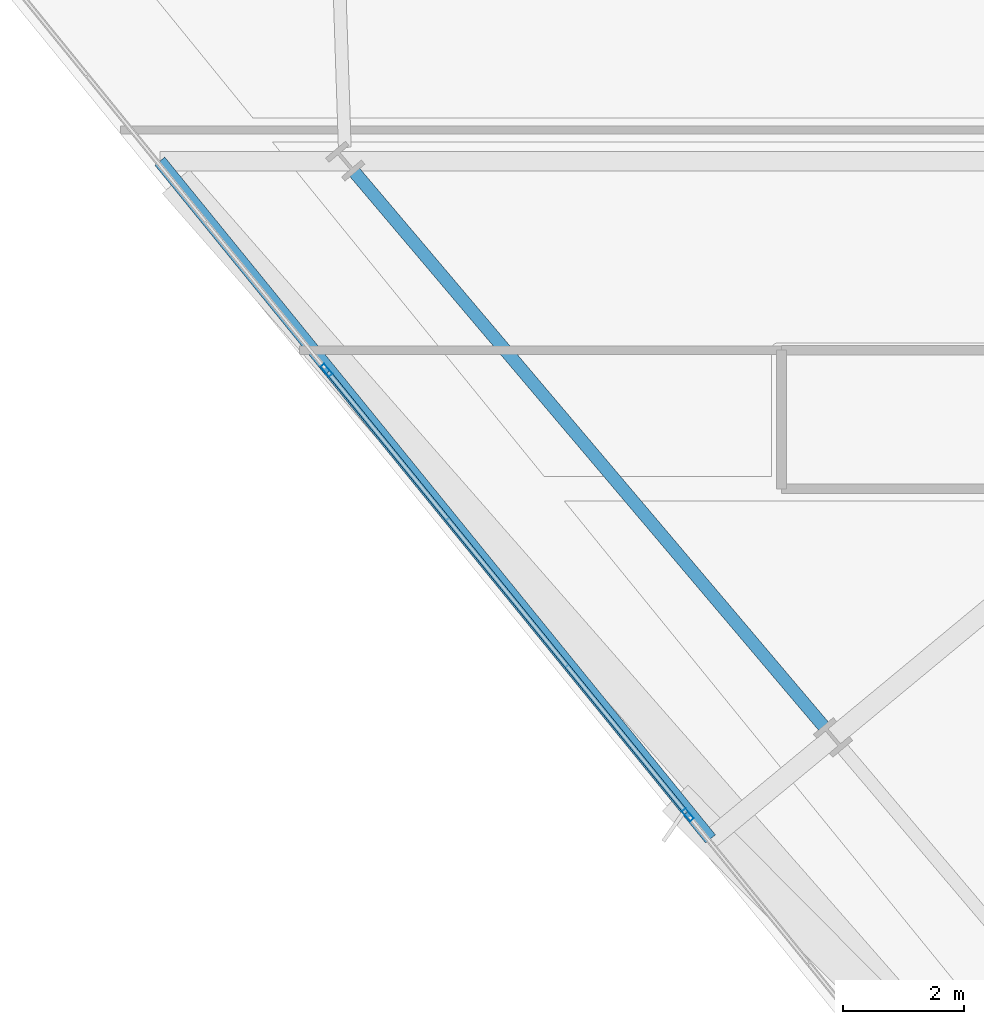
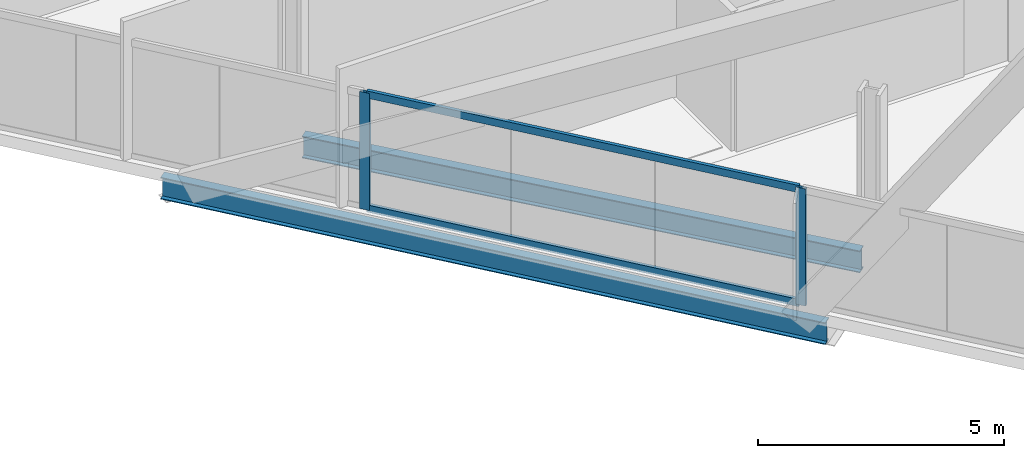
# One storey, part 4 of 36: 4 members, 2 beams, 1 element without a shape of its own.
"""IFC4 building model written with IfcOpenShell, lengths in metres."""

from ifc_helpers import new_model, si_unit, direction, frame, origin, origin_2d, place, context, subcontext, project, spatial, hollow_rectangle, i_section, extrude, material, material_profile, profile_set, type_object, element, aggregate, save


model = new_model("IFC4")

# Units and contexts
model_context = context("Model", 3, precision=1e-05, world=origin(), true_north=direction((0.0, 1.0)))
body_context = subcontext(model_context, "Body", "Model", "MODEL_VIEW")
ifc_project = project(units=[si_unit("LENGTHUNIT", "METRE"), si_unit("AREAUNIT", "SQUARE_METRE"), si_unit("VOLUMEUNIT", "CUBIC_METRE"), si_unit("PLANEANGLEUNIT", "RADIAN"), si_unit("MASSUNIT", "GRAM", prefix="KILO")], contexts=[model_context])

# Site, building, storey
site_placement = place(None, origin())
site = spatial("IfcSite", under=ifc_project, at=site_placement, CompositionType="ELEMENT")
building_placement = place(site_placement, origin())
building = spatial("IfcBuilding", under=site, at=building_placement, Name="Haldenkirk Collegiate Tower", CompositionType="ELEMENT")
storey_placement = place(building_placement, frame((0.0, 0.0, 159.449951171875)))
storey = spatial("IfcBuildingStorey", under=building, at=storey_placement, Name="L39", CompositionType="ELEMENT", Elevation=159.449951171875)

# Beams
ifc_material_1 = material(Name="Steel ASTM A992 Grade 50", Category="steel")
ifc_material_profile_1 = material_profile(ifc_material_1, i_section(OverallWidth=0.2119140625, OverallDepth=0.5439453125, WebThickness=0.01318359375, FlangeThickness=0.021240234375, at=origin_2d()), Name="W21X83")
ifc_profile_set_1 = profile_set([ifc_material_profile_1], Name="Steel ASTM A992 Grade 50")
beam_type = type_object("IfcBeamType", Name="BM-SPANDREL-W21X83", PredefinedType="SPANDREL", material=ifc_profile_set_1)
beam_1_placement = place(storey_placement, frame((11.111328125, 20.80859375, -0.56201171875), z_axis=(0.646126367676, -0.763230448157, 0.0), x_axis=(0.763230448157, 0.646126367676, 0.0)))
element("IfcBeam", 1, at=beam_1_placement, inside=storey, type_object=beam_type, Name="L39 perimeter spandrel beam 14", PredefinedType="SPANDREL", context=body_context, shape_type="SweptSolid", body=[
    extrude(i_section(OverallWidth=0.2119140625, OverallDepth=0.5439453125, WebThickness=0.01318359375, FlangeThickness=0.021240234375, at=origin_2d()), origin(), (0.0, 0.0, 1.0), 12.06494140625),
])
beam_2_placement = place(storey_placement, frame((7.887939453125, 20.9833984375, -0.56201171875), z_axis=(0.630675120015, -0.776046965714, 0.0), x_axis=(0.776046965714, 0.630675120015, 0.0)))
element("IfcBeam", 2, at=beam_2_placement, inside=storey, type_object=beam_type, Name="L39 outer facade edge beam 4", PredefinedType="SPANDREL", context=body_context, shape_type="SweptSolid", body=[
    extrude(i_section(OverallWidth=0.2119140625, OverallDepth=0.5439453125, WebThickness=0.01318359375, FlangeThickness=0.021240234375, at=origin_2d()), origin(), (0.0, 0.0, 1.0), 14.4833984375),
])

# Curtain wall, members
ifc_material_2 = material(Name="Anodised architectural bronze aluminium", Category="aluminium")
curtain_wall_type = type_object("IfcCurtainWallType", Name="CW-SYS1-CONVEX-LOW", PredefinedType="USERDEFINED", material=ifc_material_2)
curtain_wall_placement = place(storey_placement, origin())
curtain_wall = element("IfcCurtainWall", 3, at=curtain_wall_placement, inside=storey, type_object=curtain_wall_type, Name="L39 Lower tower convex bronze-framed unitised curtain wall", ObjectType="UNITISED CURTAIN WALL", PredefinedType="USERDEFINED")
ifc_material_profile_2 = material_profile(ifc_material_2, hollow_rectangle(XDim=0.080078125, YDim=0.219970703125, WallThickness=0.0048828125, at=origin_2d()), Name="CW-MUL-1A")
ifc_profile_set_2 = profile_set([ifc_material_profile_2], Name="Anodised architectural bronze aluminium")
member_type_1 = type_object("IfcMemberType", Name="CW-MUL-1A", PredefinedType="MULLION", material=ifc_profile_set_2)
member_1_placement = place(storey_placement, frame((16.646240234375, 10.142822265625, 0.0), z_axis=(0.0, 0.0, 1.0), x_axis=(-0.776047587352, -0.630674355087, 0.0)))
member_1 = element("IfcMember", 4, at=member_1_placement, type_object=member_type_1, Name="CW-1A mullion 3", PredefinedType="MULLION", context=body_context, shape_type="SweptSolid", body=[
    extrude(hollow_rectangle(XDim=0.080078125, YDim=0.219970703125, WallThickness=0.0048828125, at=origin_2d()), origin(), (0.0, 0.0, 1.0), 2.9111328125),
])
member_2_placement = place(storey_placement, frame((10.655029296875, 17.515380859375, 0.0), z_axis=(0.0, 0.0, 1.0), x_axis=(-0.776047587352, -0.630674355087, 0.0)))
member_2 = element("IfcMember", 5, at=member_2_placement, type_object=member_type_1, Name="CW-1A mullion 4", PredefinedType="MULLION", context=body_context, shape_type="SweptSolid", body=[
    extrude(hollow_rectangle(XDim=0.080078125, YDim=0.219970703125, WallThickness=0.0048828125, at=origin_2d()), origin(), (0.0, 0.0, 1.0), 2.9111328125),
])
ifc_material_profile_3 = material_profile(ifc_material_2, hollow_rectangle(XDim=0.080078125, YDim=0.179931640625, WallThickness=0.0048828125, at=origin_2d()), Name="CW-TRN-1A")
ifc_profile_set_3 = profile_set([ifc_material_profile_3], Name="Anodised architectural bronze aluminium")
member_type_2 = type_object("IfcMemberType", Name="CW-TRN-1A", PredefinedType="USERDEFINED", material=ifc_profile_set_3)
member_3_placement = place(storey_placement, frame((16.62109375, 10.173828125, 0.0400390625), z_axis=(-0.63066287267, 0.776056918683, 0.0), x_axis=(-0.776056918683, -0.63066287267, 0.0)))
member_3 = element("IfcMember", 6, at=member_3_placement, type_object=member_type_2, Name="CW-1A transom 3.1", ObjectType="TRANSOM", PredefinedType="USERDEFINED", context=body_context, shape_type="SweptSolid", body=[
    extrude(hollow_rectangle(XDim=0.080078125, YDim=0.179931640625, WallThickness=0.0048828125, at=origin_2d()), origin(), (0.0, 0.0, 1.0), 9.420166015625),
])
member_4_placement = place(storey_placement, frame((16.62109375, 10.173828125, 2.87109375), z_axis=(-0.63066287267, 0.776056918683, 0.0), x_axis=(-0.776056918683, -0.63066287267, 0.0)))
member_4 = element("IfcMember", 7, at=member_4_placement, type_object=member_type_2, Name="CW-1A transom 3.2", ObjectType="TRANSOM", PredefinedType="USERDEFINED", context=body_context, shape_type="SweptSolid", body=[
    extrude(hollow_rectangle(XDim=0.080078125, YDim=0.179931640625, WallThickness=0.0048828125, at=origin_2d()), origin(), (0.0, 0.0, 1.0), 9.420166015625),
])
aggregate(curtain_wall, [member_1, member_2, member_3, member_4])

save(model, "model.ifc")
